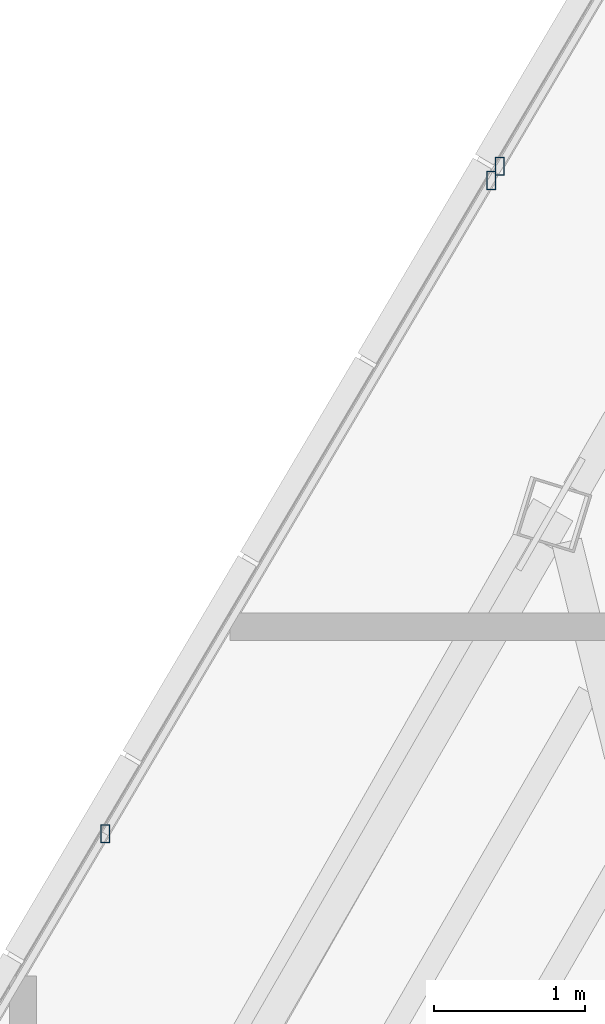
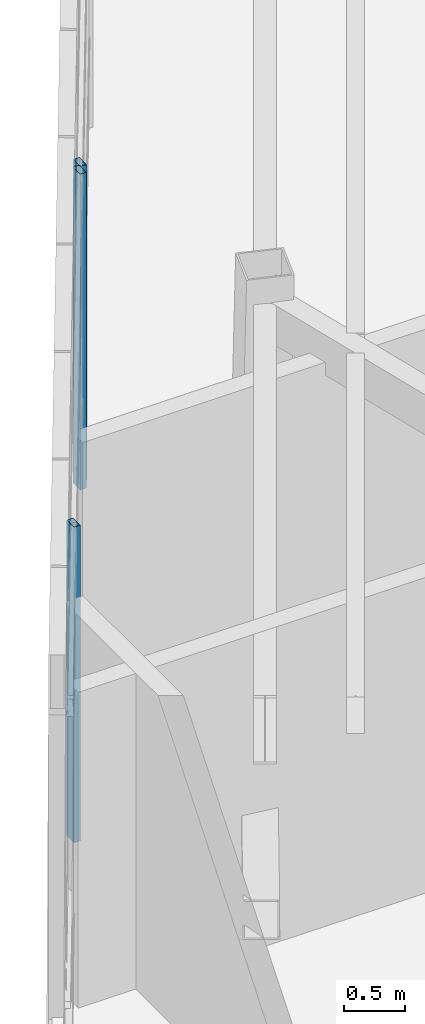
# One storey, part 19 of 44: 3 members, 2 elements without a shape of their own.
"""IFC4 building model written with IfcOpenShell, lengths in metres."""

from ifc_helpers import new_model, si_unit, direction, frame, origin, origin_2d, place, context, subcontext, project, spatial, hollow_rectangle, extrude, source, transform, mapped, material, material_profile, profile_set, type_object, type_shapes, element, aggregate, save


model = new_model("IFC4")

# Units and contexts
model_context = context("Model", 3, precision=1e-05, world=origin(), true_north=direction((0.0, 1.0)))
body_context = subcontext(model_context, "Body", "Model", "MODEL_VIEW")
ifc_project = project(units=[si_unit("LENGTHUNIT", "METRE"), si_unit("AREAUNIT", "SQUARE_METRE"), si_unit("VOLUMEUNIT", "CUBIC_METRE"), si_unit("PLANEANGLEUNIT", "RADIAN"), si_unit("MASSUNIT", "GRAM", prefix="KILO")], contexts=[model_context])

# Site, building, storey
site_placement = place(None, origin())
site = spatial("IfcSite", under=ifc_project, at=site_placement, CompositionType="ELEMENT")
building_placement = place(site_placement, origin())
building = spatial("IfcBuilding", under=site, at=building_placement, Name="Caelisora Broadcast Tower", CompositionType="ELEMENT")
storey_placement = place(building_placement, frame((0.0, 0.0, 289.800048828125)))
storey = spatial("IfcBuildingStorey", under=building, at=storey_placement, Name="L76", CompositionType="ELEMENT", Elevation=289.800048828125)

# Curtain wall, members
ifc_material_1 = material(Name="Unitised Aluminium Insulated Shadow-Box Spandrel Curtain Wall", Category="aluminium")
curtain_wall_type = type_object("IfcCurtainWallType", Name="CW-SP3", PredefinedType="NOTDEFINED", material=ifc_material_1)
curtain_wall_1_placement = place(storey_placement, origin())
curtain_wall_1 = element("IfcCurtainWall", 1, at=curtain_wall_1_placement, inside=storey, type_object=curtain_wall_type, Name="L76 curtain wall CW-SP3", PredefinedType="NOTDEFINED")
ifc_material_2 = material(Name="Aluminium 6063-T6 Anodised Terracotta Bronze", Category="aluminium")
ifc_material_profile = material_profile(ifc_material_2, hollow_rectangle(XDim=0.06005859375, YDim=0.1201171875, WallThickness=0.0029296875, at=origin_2d()), Name="Aluminium 6063-T6 Anodised Terracotta Bronze")
ifc_profile_set = profile_set([ifc_material_profile], Name="Aluminium 6063-T6 Anodised Terracotta Bronze")
member_type = type_object("IfcMemberType", Name="CWM-04", PredefinedType="MULLION", material=ifc_profile_set)
shared_shape = source(origin(), body_context, "Body", "SweptSolid", [
    extrude(hollow_rectangle(XDim=0.06005859375, YDim=0.1201171875, WallThickness=0.0029296875, at=origin_2d()), origin(), (0.0, 0.0, 1.0), 3.14990234375),
])
type_shapes(member_type, [shared_shape])
member_1_placement = place(storey_placement, frame((25.944580078125, 34.127197265625, 0.0), z_axis=(0.0, 0.0, 1.0), x_axis=(1.0, 0.0, 0.0)))
member_1 = element("IfcMember", 2, at=member_1_placement, type_object=member_type, Name="L76-CW-B10 mullion #2", PredefinedType="MULLION", context=body_context, shape_type="MappedRepresentation", body=[
    mapped(shared_shape, transform((0.0, 0.0, 0.0), scale=1.0)),
])
member_2_placement = place(storey_placement, frame((28.503662109375, 38.45751953125, 0.0), z_axis=(0.0, 0.0, 1.0), x_axis=(1.0, 0.0, 0.0)))
member_2 = element("IfcMember", 3, at=member_2_placement, type_object=member_type, Name="L76-CW-B10 mullion #3", PredefinedType="MULLION", context=body_context, shape_type="MappedRepresentation", body=[
    mapped(shared_shape, transform((0.0, 0.0, 0.0), scale=1.0)),
])
aggregate(curtain_wall_1, [member_1, member_2])

# Curtain wall, member
curtain_wall_2_placement = place(storey_placement, origin())
curtain_wall_2 = element("IfcCurtainWall", 4, at=curtain_wall_2_placement, inside=storey, type_object=curtain_wall_type, Name="L76 curtain wall CW-SP3", PredefinedType="NOTDEFINED")
member_3_placement = place(storey_placement, frame((28.5595703125, 38.552490234375, 0.0), z_axis=(0.0, 0.0, 1.0), x_axis=(1.0, 0.0, 0.0)))
member_3 = element("IfcMember", 5, at=member_3_placement, type_object=member_type, Name="L76-CW-B11 mullion #0", PredefinedType="MULLION", context=body_context, shape_type="MappedRepresentation", body=[
    mapped(shared_shape, transform((0.0, 0.0, 0.0), scale=1.0)),
])
aggregate(curtain_wall_2, [member_3])

save(model, "model.ifc")
